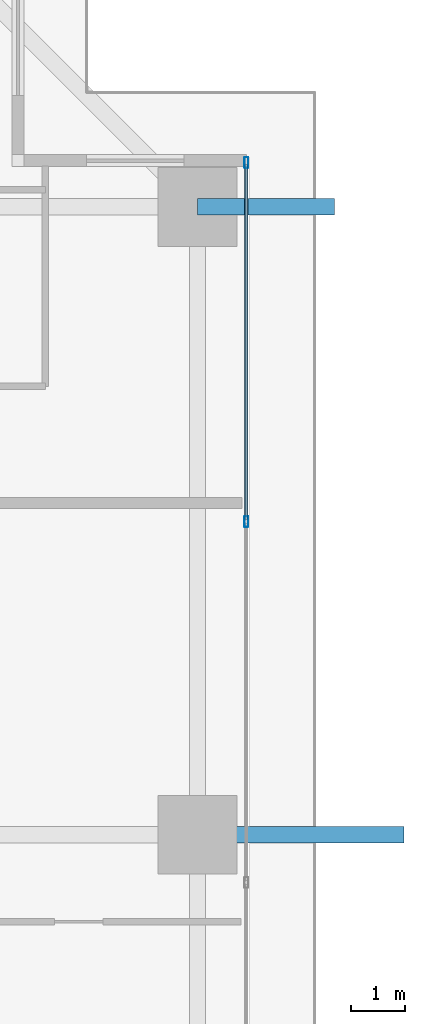
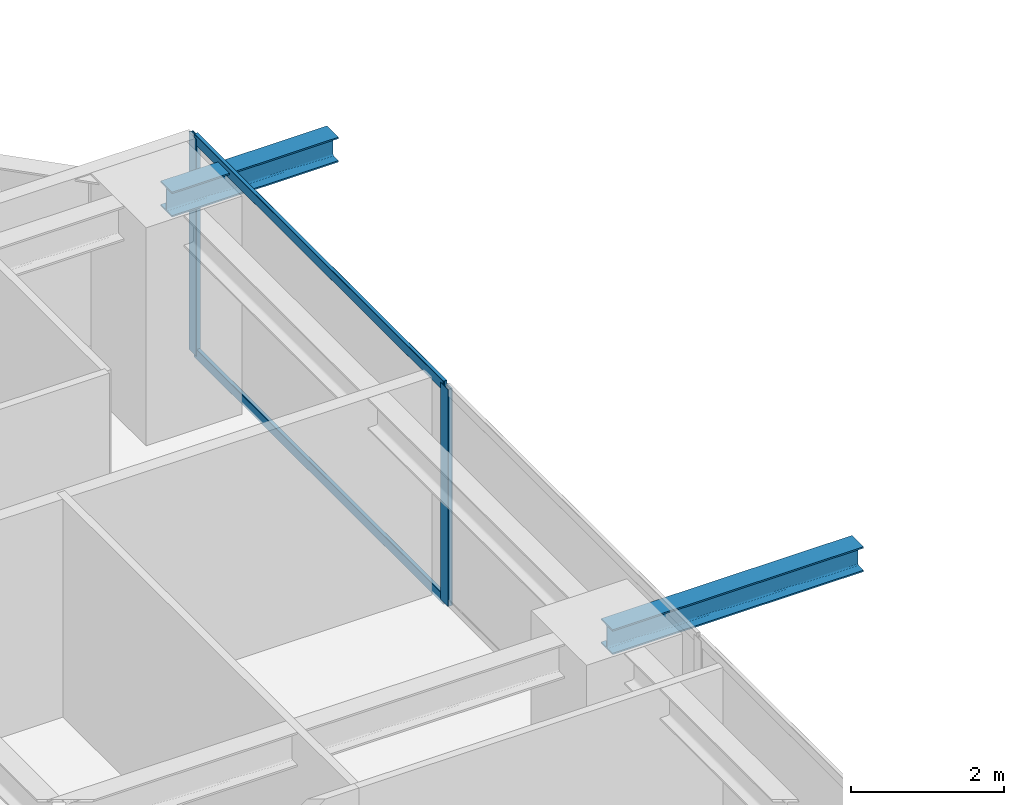
# One storey, part 22 of 39: 4 members, 2 beams, 1 element without a shape of its own.
"""IFC4 building model written with IfcOpenShell, lengths in metres."""

import ifcopenshell
import ifcopenshell.guid

model = None  # the IFC model being written
_history = None  # IfcOwnerHistory: only IFC2X3 demands one
_inside = {}  # id of a spatial element -> (the spatial element, [elements in it])
_under = {}  # id of a project, library or spatial element -> (it, [spatial elements below it])
_declared = {}  # id of a project -> (the project, [libraries it declares])
_typed = {}  # id of a type object -> (the type object, [elements of that type])
_made_of = {}  # id of a material, layer set ... -> (it, [elements and type objects made of it])


def new_model(schema):
    """Start an empty IFC model of exactly this schema.

    Asked for "IFC4X3", IfcOpenShell would pick the latest addendum, in which some entities
    have other attributes; the version numbers below select the first issue.
    IFC2X3 requires an IfcOwnerHistory on every rooted entity: one is made here for all.
    """
    global model, _history
    if schema == "IFC4X3":
        model = ifcopenshell.file(schema_version=(4, 3, 0, 0))
    else:
        model = ifcopenshell.file(schema=schema)
    _inside.clear()
    _under.clear()
    _declared.clear()
    _typed.clear()
    _made_of.clear()
    _history = None
    if model.schema == "IFC2X3":
        org = make("IfcOrganization", Name="unknown")
        user = make(
            "IfcPersonAndOrganization",
            ThePerson=make("IfcPerson", FamilyName="unknown"),
            TheOrganization=org,
        )
        app = make(
            "IfcApplication",
            ApplicationDeveloper=org,
            Version="unknown",
            ApplicationFullName="unknown",
            ApplicationIdentifier="unknown",
        )
        _history = make(
            "IfcOwnerHistory",
            OwningUser=user,
            OwningApplication=app,
            ChangeAction="ADDED",
            CreationDate=0,
        )
    return model


def make(cls, **values):
    """One entity of the class cls with the attributes given. An attribute that is None is left unset."""
    return model.create_entity(
        cls, **{name: value for name, value in values.items() if value is not None}
    )


def rooted(cls, **values):
    """An entity with a GlobalId (a new one), such as an element, a storey or a relation."""
    return make(cls, GlobalId=ifcopenshell.guid.new(), OwnerHistory=_history, **values)


def si_unit(unit_type, name, prefix=None):
    """IfcSIUnit, for example si_unit("LENGTHUNIT", "METRE", prefix="MILLI")."""
    return make("IfcSIUnit", UnitType=unit_type, Prefix=prefix, Name=name)


def assignment(units):
    """IfcUnitAssignment: the units of a project."""
    return None if units is None else make("IfcUnitAssignment", Units=units)


def point(xyz):
    """IfcCartesianPoint."""
    return None if xyz is None else make("IfcCartesianPoint", Coordinates=xyz)


def direction(xyz):
    """IfcDirection."""
    return None if xyz is None else make("IfcDirection", DirectionRatios=xyz)


def frame(location, z_axis=None, x_axis=None):
    """IfcAxis2Placement3D, a coordinate frame: its origin and axes. An axis left out is left unset."""
    return make(
        "IfcAxis2Placement3D",
        Location=point(location),
        Axis=direction(z_axis),
        RefDirection=direction(x_axis),
    )


def frame_2d(location, x_axis=None):
    """IfcAxis2Placement2D, a coordinate frame in the plane: its origin and x axis."""
    return make(
        "IfcAxis2Placement2D", Location=point(location), RefDirection=direction(x_axis)
    )


def origin():
    """The frame at (0, 0, 0) with its axes left unset."""
    return frame((0.0, 0.0, 0.0))


def origin_2d():
    """The frame at (0, 0) in the plane with its x axis left unset."""
    return frame_2d((0.0, 0.0))


def place(relative_to, where):
    """IfcLocalPlacement: puts the frame where relative to a parent placement (None: the world)."""
    return make(
        "IfcLocalPlacement", PlacementRelTo=relative_to, RelativePlacement=where
    )


def context(
    kind, dimensions, precision=None, world=None, true_north=None, identifier=None
):
    """IfcGeometricRepresentationContext, for example the 3D "Model" context."""
    return make(
        "IfcGeometricRepresentationContext",
        ContextIdentifier=identifier,
        ContextType=kind,
        CoordinateSpaceDimension=dimensions,
        Precision=precision,
        WorldCoordinateSystem=world,
        TrueNorth=true_north,
    )


def subcontext(parent, identifier, kind, view, scale=None):
    """IfcGeometricRepresentationSubContext, for example "Body" below "Model"."""
    return make(
        "IfcGeometricRepresentationSubContext",
        ContextIdentifier=identifier,
        ContextType=kind,
        ParentContext=parent,
        TargetScale=scale,
        TargetView=view,
    )


def project(units=None, contexts=None):
    """IfcProject with its units and contexts."""
    return rooted(
        "IfcProject",
        Name="project",
        RepresentationContexts=contexts,
        UnitsInContext=assignment(units),
    )


def spatial(cls, under=None, at=None, **own):
    """A site, building, storey or space (cls), placed at a placement, below another one or the project."""
    s = rooted(cls, ObjectPlacement=at, **own)
    if under is not None:
        _under.setdefault(under.id(), (under, []))[1].append(s)
    return s


def profile(cls, at=None, kind="AREA", **sizes):
    """A parametric profile (cls). Its sizes go by their IFC names, for example OverallWidth=200.0."""
    return make(cls, ProfileType=kind, Position=at, **sizes)


def hollow_rectangle(**sizes):
    """IfcRectangleHollowProfileDef."""
    return profile("IfcRectangleHollowProfileDef", **sizes)


def i_section(**sizes):
    """IfcIShapeProfileDef."""
    return profile("IfcIShapeProfileDef", **sizes)


def extrude(swept, where, along, depth):
    """IfcExtrudedAreaSolid: the profile swept, set in the frame where, extruded along a direction by depth."""
    return make(
        "IfcExtrudedAreaSolid",
        SweptArea=swept,
        Position=where,
        ExtrudedDirection=direction(along),
        Depth=depth,
    )


def shape(context_of_items, identifier, shape_type, items):
    """IfcShapeRepresentation: the items that make up one representation, for example the "Body"."""
    return make(
        "IfcShapeRepresentation",
        ContextOfItems=context_of_items,
        RepresentationIdentifier=identifier,
        RepresentationType=shape_type,
        Items=items,
    )


def source(mapping_origin, context_of_items, identifier, shape_type, items):
    """IfcRepresentationMap: a shape defined once, which mapped items show again and again."""
    return make(
        "IfcRepresentationMap",
        MappingOrigin=mapping_origin,
        MappedRepresentation=shape(context_of_items, identifier, shape_type, items),
    )


def transform(
    local_origin,
    x_axis=None,
    y_axis=None,
    z_axis=None,
    scale=None,
    scale2=None,
    scale3=None,
    uniform=True,
):
    """IfcCartesianTransformationOperator3D, or its non-uniform kind. x_axis, y_axis, z_axis: its Axis1, 2, 3."""
    if uniform:
        return make(
            "IfcCartesianTransformationOperator3D",
            Axis1=direction(x_axis),
            Axis2=direction(y_axis),
            LocalOrigin=point(local_origin),
            Scale=scale,
            Axis3=direction(z_axis),
        )
    return make(
        "IfcCartesianTransformationOperator3DnonUniform",
        Axis1=direction(x_axis),
        Axis2=direction(y_axis),
        LocalOrigin=point(local_origin),
        Scale=scale,
        Axis3=direction(z_axis),
        Scale2=scale2,
        Scale3=scale3,
    )


def mapped(mapping_source, mapping_target):
    """IfcMappedItem: shows the shape of a source again, moved by a transform."""
    return make(
        "IfcMappedItem", MappingSource=mapping_source, MappingTarget=mapping_target
    )


def material(Name=None, Category=None):
    """IfcMaterial."""
    return make("IfcMaterial", Name=Name, Category=Category)


def layer(
    of_material, thickness, ventilated=None, Name=None, Category=None, Priority=None
):
    """IfcMaterialLayer: one layer of a wall or slab, of a material (None: an air gap)."""
    return make(
        "IfcMaterialLayer",
        Material=of_material,
        LayerThickness=thickness,
        IsVentilated=ventilated,
        Name=Name,
        Category=Category,
        Priority=Priority,
    )


def layer_set(layers, Name=None):
    """IfcMaterialLayerSet."""
    return make("IfcMaterialLayerSet", MaterialLayers=layers, LayerSetName=Name)


def material_profile(
    of_material, cross_section, Name=None, Category=None, Priority=None
):
    """IfcMaterialProfile: a cross section and its material."""
    return make(
        "IfcMaterialProfile",
        Name=Name,
        Material=of_material,
        Profile=cross_section,
        Priority=Priority,
        Category=Category,
    )


def profile_set(profiles, Name=None, composite=None):
    """IfcMaterialProfileSet."""
    return make(
        "IfcMaterialProfileSet",
        Name=Name,
        MaterialProfiles=profiles,
        CompositeProfile=composite,
    )


def made_of(thing, what):
    """Note that an element or type object is made of a material, layer set ...; save() writes the relation."""
    if what is not None:
        _made_of.setdefault(what.id(), (what, []))[1].append(thing)
    return thing


def type_object(cls, material=None, **own):
    """A type object (cls), such as IfcWallType, which elements share."""
    return made_of(rooted(cls, **own), material)


def element(
    cls,
    number,
    at=None,
    inside=None,
    cuts=None,
    type_object=None,
    material=None,
    context=None,
    identifier="Body",
    shape_type=None,
    held_by="IfcProductDefinitionShape",
    body=None,
    shapes=None,
    **own,
):
    """One element of the class cls, such as IfcWall. Its Tag is "e" and its number.

    at: its placement. inside: the storey or other place that contains it. cuts: it is an
    opening in that element (IfcRelVoidsElement). A single representation is given by context,
    identifier, shape_type and body (its items); several are given by shapes. held_by: the class
    of the entity that holds the representations. save() writes the other relations.
    """
    e = rooted(cls, Tag="e%d" % number, ObjectPlacement=at, **own)
    if body is not None:
        shapes = [shape(context, identifier, shape_type, body)]
    if shapes is not None:
        e.Representation = make(held_by, Representations=shapes)
    if inside is not None:
        _inside.setdefault(inside.id(), (inside, []))[1].append(e)
    if cuts is not None:
        rooted(
            "IfcRelVoidsElement", RelatingBuildingElement=cuts, RelatedOpeningElement=e
        )
    if type_object is not None:
        _typed.setdefault(type_object.id(), (type_object, []))[1].append(e)
    return made_of(e, material)


def aggregate(whole, parts):
    """IfcRelAggregates: a whole, such as a stair, and the parts it consists of."""
    return rooted("IfcRelAggregates", RelatingObject=whole, RelatedObjects=parts)


def save(model, path):
    """Write the relations noted so far, then the file.

    IfcRelAggregates (storeys below a building ...), IfcRelContainedInSpatialStructure (elements
    in a storey), IfcRelDefinesByType, IfcRelAssociatesMaterial and IfcRelDeclares: one each for
    every whole, place, type object, material and project.
    """
    for whole, parts in _under.values():
        aggregate(whole, parts)
    for where, things in _inside.values():
        rooted(
            "IfcRelContainedInSpatialStructure",
            RelatedElements=things,
            RelatingStructure=where,
        )
    for kind, things in _typed.values():
        rooted("IfcRelDefinesByType", RelatedObjects=things, RelatingType=kind)
    for what, things in _made_of.values():
        rooted("IfcRelAssociatesMaterial", RelatedObjects=things, RelatingMaterial=what)
    for by, libraries in _declared.values():
        rooted("IfcRelDeclares", RelatingContext=by, RelatedDefinitions=libraries)
    model.write(path)


model = new_model("IFC4")

# Units and contexts
model_context = context("Model", 3, precision=1e-05, world=origin(), true_north=direction((0.0, 1.0)))
body_context = subcontext(model_context, "Body", "Model", "MODEL_VIEW")
ifc_project = project(units=[si_unit("LENGTHUNIT", "METRE"), si_unit("AREAUNIT", "SQUARE_METRE"), si_unit("VOLUMEUNIT", "CUBIC_METRE"), si_unit("PLANEANGLEUNIT", "RADIAN"), si_unit("MASSUNIT", "GRAM", prefix="KILO")], contexts=[model_context])

# Site, building, storey
site_placement = place(None, origin())
site = spatial("IfcSite", under=ifc_project, at=site_placement, CompositionType="ELEMENT")
building_placement = place(site_placement, origin())
building = spatial("IfcBuilding", under=site, at=building_placement, Name="Serunith Strait Residences", CompositionType="ELEMENT")
storey_placement = place(building_placement, frame((0.0, 0.0, 60.449951171875)))
storey = spatial("IfcBuildingStorey", under=building, at=storey_placement, Name="L14", CompositionType="ELEMENT", Elevation=60.449951171875)

# Beams
ifc_material_1 = material(Name="Steel S355J2", Category="steel")
ifc_material_profile_1 = material_profile(ifc_material_1, i_section(OverallWidth=0.300048828125, OverallDepth=0.39990234375, WebThickness=0.013427734375, FlangeThickness=0.02392578125, FilletRadius=0.027099609375, at=origin_2d()), Name="HEB 400")
ifc_profile_set_1 = profile_set([ifc_material_profile_1], Name="Steel S355J2")
beam_type = type_object("IfcBeamType", Name="BM-HEB400", PredefinedType="BEAM", material=ifc_profile_set_1)
shared_shape_1 = source(origin(), body_context, "Body", "SweptSolid", [
    extrude(i_section(OverallWidth=0.300048828125, OverallDepth=0.39990234375, WebThickness=0.013427734375, FlangeThickness=0.02392578125, FilletRadius=0.027099609375, at=origin_2d()), origin(), (0.0, 0.0, 1.0), 3.800048828125),
])
beam_1_placement = place(storey_placement, frame((57.89990234375, 29.39990234375, 3.257080078125), z_axis=(1.0, 0.0, 0.0), x_axis=(0.0, 1.0, 0.0)))
element("IfcBeam", 1, at=beam_1_placement, inside=storey, type_object=beam_type, Name="L15 Cantilevered Balcony Rib TC-E3", PredefinedType="BEAM", context=body_context, shape_type="MappedRepresentation", body=[
    mapped(shared_shape_1, transform((0.0, 0.0, 0.0), scale=1.0)),
])
shared_shape_2 = source(origin(), body_context, "Body", "SweptSolid", [
    extrude(i_section(OverallWidth=0.300048828125, OverallDepth=0.39990234375, WebThickness=0.013427734375, FlangeThickness=0.02392578125, FilletRadius=0.027099609375, at=origin_2d()), origin(), (0.0, 0.0, 1.0), 2.52099609375),
])
beam_2_placement = place(storey_placement, frame((57.89990234375, 40.949951171875, 3.257080078125), z_axis=(1.0, 0.0, 0.0), x_axis=(0.0, 1.0, 0.0)))
element("IfcBeam", 2, at=beam_2_placement, inside=storey, type_object=beam_type, Name="L15 Cantilevered Balcony Rib TC-E4", PredefinedType="BEAM", context=body_context, shape_type="MappedRepresentation", body=[
    mapped(shared_shape_2, transform((0.0, 0.0, 0.0), scale=1.0)),
])

# Curtain wall, members
ifc_material_2 = material(Name="Pale-Champagne Anodised Aluminium", Category="aluminium")
ifc_layer = layer(ifc_material_2, 0.199951171875, Name="Pale-Champagne Anodised Aluminium")
ifc_layer_set = layer_set([ifc_layer], Name="Pale-Champagne Anodised Aluminium")
curtain_wall_type = type_object("IfcCurtainWallType", Name="CW-SYS1", PredefinedType="NOTDEFINED", material=ifc_layer_set)
curtain_wall_placement = place(storey_placement, origin())
curtain_wall = element("IfcCurtainWall", 3, at=curtain_wall_placement, inside=storey, type_object=curtain_wall_type, Name="L14 E Unitised Fritted Curtain Wall", PredefinedType="NOTDEFINED")
ifc_material_profile_2 = material_profile(ifc_material_2, hollow_rectangle(XDim=0.070068359375, YDim=0.199951171875, WallThickness=0.00390625, InnerFilletRadius=0.006103515625, OuterFilletRadius=0.010009765625, at=origin_2d()), Name="ALU 200x70x4")
ifc_profile_set_2 = profile_set([ifc_material_profile_2], Name="Pale-Champagne Anodised Aluminium")
member_type_1 = type_object("IfcMemberType", Name="CW-SYS1-MULL", PredefinedType="MULLION", material=ifc_profile_set_2)
shared_shape_3 = source(origin(), body_context, "Body", "SweptSolid", [
    extrude(hollow_rectangle(XDim=0.070068359375, YDim=0.199951171875, WallThickness=0.00390625, InnerFilletRadius=0.006103515625, OuterFilletRadius=0.010009765625, at=origin_2d()), origin(), (0.0, 0.0, 1.0), 3.47509765625),
])
member_1_placement = place(storey_placement, frame((58.800048828125, 35.159912109375, 0.0), z_axis=(0.0, 0.0, 1.0), x_axis=(-1.0, 0.0, 0.0)))
member_1 = element("IfcMember", 4, at=member_1_placement, type_object=member_type_1, Name="CW-1 mullion 5", PredefinedType="MULLION", context=body_context, shape_type="MappedRepresentation", body=[
    mapped(shared_shape_3, transform((0.0, 0.0, 0.0), scale=1.0)),
])
member_2_placement = place(storey_placement, frame((58.800048828125, 41.764892578125, 0.0), z_axis=(0.0, 0.0, 1.0), x_axis=(-1.0, 0.0, 0.0)))
member_2 = element("IfcMember", 5, at=member_2_placement, type_object=member_type_1, Name="CW-1 mullion 6", PredefinedType="MULLION", context=body_context, shape_type="MappedRepresentation", body=[
    mapped(shared_shape_3, transform((0.0, 0.0, 0.0), scale=1.0)),
])
ifc_material_profile_3 = material_profile(ifc_material_2, hollow_rectangle(XDim=0.06005859375, YDim=0.159912109375, WallThickness=0.00341796875, InnerFilletRadius=0.00537109375, OuterFilletRadius=0.0087890625, at=origin_2d()), Name="ALU 160x60x3.5")
ifc_profile_set_3 = profile_set([ifc_material_profile_3], Name="Pale-Champagne Anodised Aluminium")
member_type_2 = type_object("IfcMemberType", Name="CW-SYS1-TRAN", PredefinedType="USERDEFINED", material=ifc_profile_set_3)
shared_shape_4 = source(origin(), body_context, "Body", "SweptSolid", [
    extrude(hollow_rectangle(XDim=0.06005859375, YDim=0.159912109375, WallThickness=0.00341796875, InnerFilletRadius=0.00537109375, OuterFilletRadius=0.0087890625, at=origin_2d()), origin(), (0.0, 0.0, 1.0), 6.534912109375),
])
member_3_placement = place(storey_placement, frame((58.800048828125, 35.195068359375, 0.030029296875), z_axis=(0.0, 1.0, 0.0), x_axis=(-1.0, 0.0, 0.0)))
member_3 = element("IfcMember", 6, at=member_3_placement, type_object=member_type_2, Name="CW-1 transom 5.1", ObjectType="TRANSOM", PredefinedType="USERDEFINED", context=body_context, shape_type="MappedRepresentation", body=[
    mapped(shared_shape_4, transform((0.0, 0.0, 0.0), scale=1.0)),
])
member_4_placement = place(storey_placement, frame((58.800048828125, 35.195068359375, 3.445068359375), z_axis=(0.0, 1.0, 0.0), x_axis=(-1.0, 0.0, 0.0)))
member_4 = element("IfcMember", 7, at=member_4_placement, type_object=member_type_2, Name="CW-1 transom 5.2", ObjectType="TRANSOM", PredefinedType="USERDEFINED", context=body_context, shape_type="MappedRepresentation", body=[
    mapped(shared_shape_4, transform((0.0, 0.0, 0.0), scale=1.0)),
])
aggregate(curtain_wall, [member_1, member_2, member_3, member_4])

save(model, "model.ifc")
